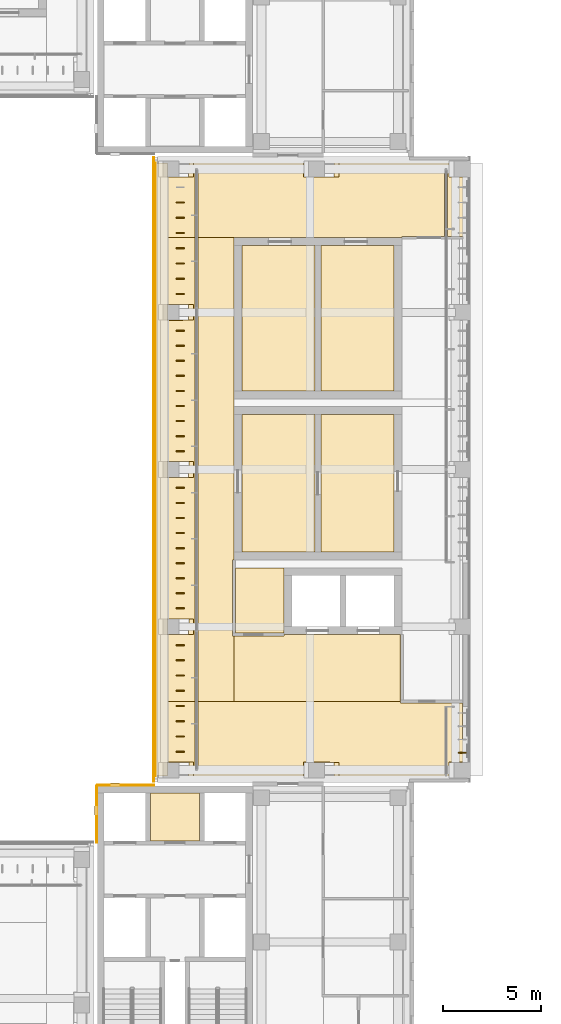
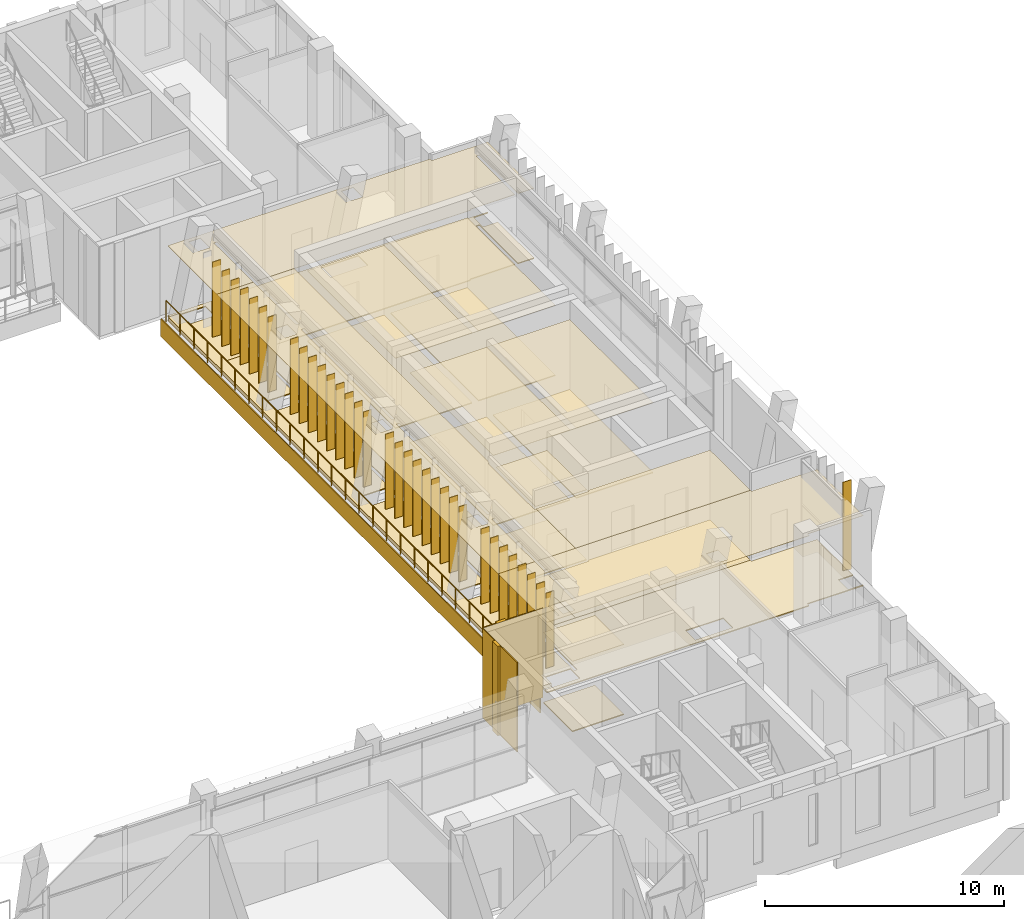
# One storey, part 85 of 89: 34 shading devices, 26 coverings, 1 railing.
"""IFC4 building model written with IfcOpenShell, lengths in metres."""

from ifc_helpers import new_model, si_unit, direction, frame, frame_2d, origin, origin_2d, place, context, subcontext, project, spatial, polyline, rectangle, circle, outline, extrude, material, layer, layer_set, type_object, element, save


model = new_model("IFC4")

# Units and contexts
model_context = context("Model", 3, precision=1e-05, world=origin(), true_north=direction((0.0, 1.0)))
body_context = subcontext(model_context, "Body", "Model", "MODEL_VIEW")
ifc_project = project(units=[si_unit("LENGTHUNIT", "METRE"), si_unit("AREAUNIT", "SQUARE_METRE"), si_unit("VOLUMEUNIT", "CUBIC_METRE"), si_unit("PLANEANGLEUNIT", "RADIAN"), si_unit("MASSUNIT", "GRAM", prefix="KILO")], contexts=[model_context])

# Site, building, storey
site_placement = place(None, origin())
site = spatial("IfcSite", under=ifc_project, at=site_placement, CompositionType="ELEMENT")
building_placement = place(site_placement, origin())
building = spatial("IfcBuilding", under=site, at=building_placement, Name="Lantern Court Media Centre", CompositionType="ELEMENT")
storey_placement = place(building_placement, frame((0.0, 0.0, 14.39990234375)))
storey = spatial("IfcBuildingStorey", under=building, at=storey_placement, Name="L03", CompositionType="ELEMENT", Elevation=14.39990234375)

# Coverings
ifc_material_1 = material(Name="Carpet")
ifc_layer_1 = layer(ifc_material_1, 0.050048828125)
ifc_layer_set_1 = layer_set([ifc_layer_1], Name="Carpet")
covering_type_1 = type_object("IfcCoveringType", Name="Carpet floor finish", PredefinedType="FLOORING", material=ifc_layer_set_1)
covering_1_placement = place(storey_placement, origin())
element("IfcCovering", 1, at=covering_1_placement, inside=storey, type_object=covering_type_1, Name="Recording Studio 03 floor finish", PredefinedType="FLOORING", context=body_context, shape_type="SweptSolid", body=[
    extrude(outline(polyline([(87.455078125, 75.804931640625), (87.455078125, 82.794921875), (91.169921875, 82.794921875), (91.169921875, 75.804931640625), (87.455078125, 75.804931640625)])), origin(), (0.0, 0.0, 1.0), 0.050048828125),
])
covering_2_placement = place(storey_placement, origin())
element("IfcCovering", 2, at=covering_2_placement, inside=storey, type_object=covering_type_1, Name="Recording Control Room 03 floor finish", PredefinedType="FLOORING", context=body_context, shape_type="SweptSolid", body=[
    extrude(outline(polyline([(91.47998046875, 75.804931640625), (91.47998046875, 82.794921875), (95.195068359375, 82.794921875), (95.195068359375, 75.804931640625), (91.47998046875, 75.804931640625)])), origin(), (0.0, 0.0, 1.0), 0.050048828125),
])
covering_3_placement = place(storey_placement, origin())
element("IfcCovering", 3, at=covering_3_placement, inside=storey, type_object=covering_type_1, Name="Recording Studio 04 floor finish", PredefinedType="FLOORING", context=body_context, shape_type="SweptSolid", body=[
    extrude(outline(polyline([(87.455078125, 84.0048828125), (87.455078125, 91.39501953125), (91.169921875, 91.39501953125), (91.169921875, 84.0048828125), (87.455078125, 84.0048828125)])), origin(), (0.0, 0.0, 1.0), 0.050048828125),
])
covering_4_placement = place(storey_placement, origin())
element("IfcCovering", 4, at=covering_4_placement, inside=storey, type_object=covering_type_1, Name="Recording Control Room 04 floor finish", PredefinedType="FLOORING", context=body_context, shape_type="SweptSolid", body=[
    extrude(outline(polyline([(91.47998046875, 91.39501953125), (95.195068359375, 91.39501953125), (95.195068359375, 84.0048828125), (91.47998046875, 84.0048828125), (91.47998046875, 91.39501953125)])), origin(), (0.0, 0.0, 1.0), 0.050048828125),
])
ifc_material_2 = material(Name="Ceramic tile")
ifc_layer_2 = layer(ifc_material_2, 0.050048828125)
ifc_layer_set_2 = layer_set([ifc_layer_2], Name="Ceramic tile")
covering_type_2 = type_object("IfcCoveringType", Name="Ceramic tile floor finish", PredefinedType="FLOORING", material=ifc_layer_set_2)
covering_5_placement = place(storey_placement, origin())
element("IfcCovering", 5, at=covering_5_placement, inside=storey, type_object=covering_type_2, Name="Accessible WC floor finish", PredefinedType="FLOORING", context=body_context, shape_type="SweptSolid", body=[
    extrude(outline(polyline([(89.594970703125, 75.0), (89.594970703125, 71.679931640625), (87.1298828125, 71.679931640625), (87.1298828125, 75.0), (89.594970703125, 75.0)])), origin(), (0.0, 0.0, 1.0), 0.050048828125),
])
covering_6_placement = place(storey_placement, origin())
element("IfcCovering", 6, at=covering_6_placement, inside=storey, type_object=covering_type_2, Name="Accessible WC floor finish", PredefinedType="FLOORING", context=body_context, shape_type="SweptSolid", body=[
    extrude(outline(polyline([(85.294921875, 61.10498046875), (82.804931640625, 61.10498046875), (82.804931640625, 63.544921875), (85.294921875, 63.544921875), (85.294921875, 61.10498046875)])), origin(), (0.0, 0.0, 1.0), 0.050048828125),
])
ifc_material_3 = material(Name="White glass-fibre reinforced cement cladding", Category="concrete")
ifc_layer_3 = layer(ifc_material_3, 0.050048828125)
ifc_layer_set_3 = layer_set([ifc_layer_3], Name="White glass-fibre reinforced cement cladding")
covering_type_3 = type_object("IfcCoveringType", Name="Floor-edge band 50", PredefinedType="CLADDING", material=ifc_layer_set_3)
covering_7_placement = place(storey_placement, frame((82.97509765625, 64.10009765625, -0.89990234375), z_axis=(0.0, 0.0, 1.0), x_axis=(0.0, 1.0, 0.0)))
element("IfcCovering", 7, at=covering_7_placement, inside=storey, type_object=covering_type_3, Name="Floor-edge band E inner L03", PredefinedType="CLADDING", context=body_context, shape_type="SweptSolid", body=[
    extrude(rectangle(XDim=31.7998046875, YDim=0.050048828125, at=frame_2d((15.89990234375, 0.0))), origin(), (0.0, 0.0, 1.0), 0.89990234375),
])

# Railing
ifc_material_4 = material(Name="Painted mild steel balustrade", Category="steel")
railing_type = type_object("IfcRailingType", Name="Guard 1100 steel balustrade", PredefinedType="GUARDRAIL", material=ifc_material_4)
railing_placement = place(storey_placement, frame((83.050048828125, 64.39990234375, 0.0)))
element("IfcRailing", 8, at=railing_placement, inside=storey, type_object=railing_type, Name="Ledge guard E L03", PredefinedType="GUARDRAIL", context=body_context, shape_type="SweptSolid", body=[
    extrude(circle(Radius=0.02392578125, at=origin_2d()), frame((0.0, 0.0, 1.076171875), z_axis=(0.0, 1.0, 0.0), x_axis=(-1.0, 0.0, 0.0)), (0.0, 0.0, 1.0), 31.2001953125),
    extrude(circle(Radius=0.02099609375, at=origin_2d()), origin(), (0.0, 0.0, 1.0), 1.052001953125),
    extrude(circle(Radius=0.02099609375, at=origin_2d()), frame((0.0, 1.155517578125, 0.0)), (0.0, 0.0, 1.0), 1.052001953125),
    extrude(circle(Radius=0.02099609375, at=origin_2d()), frame((0.0, 2.31103515625, 0.0)), (0.0, 0.0, 1.0), 1.052001953125),
    extrude(circle(Radius=0.02099609375, at=origin_2d()), frame((0.0, 3.466796875, 0.0)), (0.0, 0.0, 1.0), 1.052001953125),
    extrude(circle(Radius=0.02099609375, at=origin_2d()), frame((0.0, 4.622314453125, 0.0)), (0.0, 0.0, 1.0), 1.052001953125),
    extrude(circle(Radius=0.02099609375, at=origin_2d()), frame((0.0, 5.77783203125, 0.0)), (0.0, 0.0, 1.0), 1.052001953125),
    extrude(circle(Radius=0.02099609375, at=origin_2d()), frame((0.0, 6.933349609375, 0.0)), (0.0, 0.0, 1.0), 1.052001953125),
    extrude(circle(Radius=0.02099609375, at=origin_2d()), frame((0.0, 8.0888671875, 0.0)), (0.0, 0.0, 1.0), 1.052001953125),
    extrude(circle(Radius=0.02099609375, at=origin_2d()), frame((0.0, 9.244384765625, 0.0)), (0.0, 0.0, 1.0), 1.052001953125),
    extrude(circle(Radius=0.02099609375, at=origin_2d()), frame((0.0, 10.400146484375, 0.0)), (0.0, 0.0, 1.0), 1.052001953125),
    extrude(circle(Radius=0.02099609375, at=origin_2d()), frame((0.0, 11.5556640625, 0.0)), (0.0, 0.0, 1.0), 1.052001953125),
    extrude(circle(Radius=0.02099609375, at=origin_2d()), frame((0.0, 12.711181640625, 0.0)), (0.0, 0.0, 1.0), 1.052001953125),
    extrude(circle(Radius=0.02099609375, at=origin_2d()), frame((0.0, 13.86669921875, 0.0)), (0.0, 0.0, 1.0), 1.052001953125),
    extrude(circle(Radius=0.02099609375, at=origin_2d()), frame((0.0, 15.022216796875, 0.0)), (0.0, 0.0, 1.0), 1.052001953125),
    extrude(circle(Radius=0.02099609375, at=origin_2d()), frame((0.0, 16.177978515625, 0.0)), (0.0, 0.0, 1.0), 1.052001953125),
    extrude(circle(Radius=0.02099609375, at=origin_2d()), frame((0.0, 17.33349609375, 0.0)), (0.0, 0.0, 1.0), 1.052001953125),
    extrude(circle(Radius=0.02099609375, at=origin_2d()), frame((0.0, 18.489013671875, 0.0)), (0.0, 0.0, 1.0), 1.052001953125),
    extrude(circle(Radius=0.02099609375, at=origin_2d()), frame((0.0, 19.64453125, 0.0)), (0.0, 0.0, 1.0), 1.052001953125),
    extrude(circle(Radius=0.02099609375, at=origin_2d()), frame((0.0, 20.800048828125, 0.0)), (0.0, 0.0, 1.0), 1.052001953125),
    extrude(circle(Radius=0.02099609375, at=origin_2d()), frame((0.0, 21.955810546875, 0.0)), (0.0, 0.0, 1.0), 1.052001953125),
    extrude(circle(Radius=0.02099609375, at=origin_2d()), frame((0.0, 23.111328125, 0.0)), (0.0, 0.0, 1.0), 1.052001953125),
    extrude(circle(Radius=0.02099609375, at=origin_2d()), frame((0.0, 24.266845703125, 0.0)), (0.0, 0.0, 1.0), 1.052001953125),
    extrude(circle(Radius=0.02099609375, at=origin_2d()), frame((0.0, 25.42236328125, 0.0)), (0.0, 0.0, 1.0), 1.052001953125),
    extrude(circle(Radius=0.02099609375, at=origin_2d()), frame((0.0, 26.577880859375, 0.0)), (0.0, 0.0, 1.0), 1.052001953125),
    extrude(circle(Radius=0.02099609375, at=origin_2d()), frame((0.0, 27.7333984375, 0.0)), (0.0, 0.0, 1.0), 1.052001953125),
    extrude(circle(Radius=0.02099609375, at=origin_2d()), frame((0.0, 28.88916015625, 0.0)), (0.0, 0.0, 1.0), 1.052001953125),
    extrude(circle(Radius=0.02099609375, at=origin_2d()), frame((0.0, 30.044677734375, 0.0)), (0.0, 0.0, 1.0), 1.052001953125),
    extrude(circle(Radius=0.02099609375, at=origin_2d()), frame((0.0, 31.2001953125, 0.0)), (0.0, 0.0, 1.0), 1.052001953125),
])

# Coverings
ifc_material_5 = material(Name="Honed limestone cladding", Category="masonry")
ifc_layer_4 = layer(ifc_material_5, 0.050048828125)
ifc_layer_set_4 = layer_set([ifc_layer_4], Name="Honed limestone cladding")
covering_type_4 = type_object("IfcCoveringType", Name="Limestone cladding panel 50", PredefinedType="CLADDING", material=ifc_layer_set_4)
for number, where, z_axis, x_axis, name in (
    (9, (80.074951171875, 61.0, 0.0), (0.0, 0.0, 1.0), (0.0, 1.0, 0.0), "Limestone joint cladding S-SE L03"),
    (10, (80.10009765625, 63.925048828125, 0.0), (0.0, 0.0, 1.0), (1.0, 0.0, 0.0), "Limestone joint cladding E-SE L03"),
):
    element("IfcCovering", number, at=place(storey_placement, frame(where, z_axis=z_axis, x_axis=x_axis)), inside=storey, type_object=covering_type_4, Name=name, PredefinedType="CLADDING", context=body_context, shape_type="SweptSolid", body=[
        extrude(rectangle(XDim=2.89990234375, YDim=0.050048828125, at=frame_2d((1.449951171875, 0.0))), origin(), (0.0, 0.0, 1.0), 4.580078125),
    ])
ifc_layer_5 = layer(ifc_material_5, 0.14990234375)
ifc_layer_set_5 = layer_set([ifc_layer_5], Name="Honed limestone cladding")
covering_type_5 = type_object("IfcCoveringType", Name="Limestone pilaster cladding 150", PredefinedType="CLADDING", material=ifc_layer_set_5)
covering_8_placement = place(storey_placement, frame((80.77490234375, 63.97509765625, 0.0), z_axis=(0.0, 0.0, 1.0), x_axis=(1.0, 0.0, 0.0)))
element("IfcCovering", 11, at=covering_8_placement, inside=storey, type_object=covering_type_5, Name="Limestone pilaster rib", PredefinedType="CLADDING", context=body_context, shape_type="SweptSolid", body=[
    extrude(rectangle(XDim=0.4501953125, YDim=0.14990234375, at=frame_2d((0.22509765625, 0.0))), origin(), (0.0, 0.0, 1.0), 4.580078125),
])
covering_9_placement = place(storey_placement, frame((80.02490234375, 62.425048828125, 0.0), z_axis=(0.0, 0.0, 1.0), x_axis=(0.0, 1.0, 0.0)))
element("IfcCovering", 12, at=covering_9_placement, inside=storey, type_object=covering_type_5, Name="Limestone pilaster rib", PredefinedType="CLADDING", context=body_context, shape_type="SweptSolid", body=[
    extrude(rectangle(XDim=0.449951171875, YDim=0.14990234375, at=frame_2d((0.22509765625, 0.0))), origin(), (0.0, 0.0, 1.0), 4.580078125),
])
ifc_material_6 = material(Name="Planting substrate")
ifc_layer_6 = layer(ifc_material_6, 0.199951171875)
ifc_layer_set_6 = layer_set([ifc_layer_6], Name="Planting substrate")
covering_type_6 = type_object("IfcCoveringType", Name="Planted ledge build-up 200", PredefinedType="ROOFING", material=ifc_layer_set_6)
covering_10_placement = place(storey_placement, origin())
element("IfcCovering", 13, at=covering_10_placement, inside=storey, type_object=covering_type_6, Name="Planted ledge E L03", PredefinedType="ROOFING", context=body_context, shape_type="SweptSolid", body=[
    extrude(outline(polyline([(83.14990234375, 64.39990234375), (83.14990234375, 95.60009765625), (83.679931640625, 95.60009765625), (83.679931640625, 64.39990234375), (83.14990234375, 64.39990234375)])), origin(), (0.0, 0.0, 1.0), 0.2001953125),
])
ifc_material_7 = material(Name="Mineral fibre ceiling tile")
ifc_layer_7 = layer(ifc_material_7, 0.02001953125)
ifc_layer_set_7 = layer_set([ifc_layer_7], Name="Mineral fibre ceiling tile")
covering_type_7 = type_object("IfcCoveringType", Name="Suspended ceiling tile", PredefinedType="CEILING", material=ifc_layer_set_7)
covering_11_placement = place(storey_placement, frame((0.0, 0.0, 3.60009765625)))
element("IfcCovering", 14, at=covering_11_placement, inside=storey, type_object=covering_type_7, Name="End Lobby ceiling", PredefinedType="CEILING", context=body_context, shape_type="SweptSolid", body=[
    extrude(outline(polyline([(98.699951171875, 64.240478515625), (96.0, 64.240478515625), (95.99951171875, 64.10009765625), (83.300048828125, 64.10009765625), (83.300048828125, 68.199951171875), (85.074462890625, 68.199951171875), (85.074951171875, 64.8994140625), (85.2255859375, 64.89990234375), (85.2255859375, 68.199951171875), (95.51953125, 68.199951171875), (95.52001953125, 68.119384765625), (98.695068359375, 68.119384765625), (98.699462890625, 68.199951171875), (98.699951171875, 64.240478515625)]), holes=[polyline([(92.152099609375, 64.299560546875), (92.152587890625, 65.100341796875), (91.599609375, 65.100341796875), (91.599609375, 64.2998046875), (92.152099609375, 64.299560546875)]), polyline([(91.35205078125, 65.1005859375), (91.3515625, 64.300048828125), (91.400146484375, 64.299560546875), (91.400390625, 65.10009765625), (91.35205078125, 65.1005859375)]), polyline([(84.752685546875, 65.10009765625), (84.199462890625, 65.100341796875), (84.19970703125, 64.299560546875), (84.75244140625, 64.2998046875), (84.752685546875, 65.10009765625)]), polyline([(84.00048828125, 65.10009765625), (83.95166015625, 65.10009765625), (83.9521484375, 64.299560546875), (84.00048828125, 64.300048828125), (84.00048828125, 65.10009765625)])]), origin(), (0.0, 0.0, 1.0), 0.02001953125),
])
covering_12_placement = place(storey_placement, frame((0.0, 0.0, 3.60009765625)))
element("IfcCovering", 15, at=covering_12_placement, inside=storey, type_object=covering_type_7, Name="End Lobby ceiling", PredefinedType="CEILING", context=body_context, shape_type="SweptSolid", body=[
    extrude(outline(polyline([(98.699951171875, 91.863037109375), (97.929931640625, 91.863037109375), (97.925537109375, 91.800048828125), (97.925537109375, 95.10009765625), (97.77490234375, 95.1005859375), (97.7744140625, 91.800048828125), (97.77001953125, 91.863037109375), (95.60498046875, 91.863037109375), (95.6044921875, 91.800048828125), (85.2255859375, 91.800048828125), (85.2255859375, 95.10009765625), (85.074951171875, 95.1005859375), (85.074462890625, 91.800048828125), (83.300048828125, 91.800048828125), (83.300048828125, 95.89990234375), (95.99951171875, 95.89990234375), (96.0, 95.759521484375), (98.699951171875, 95.759521484375), (98.699951171875, 91.863037109375)]), holes=[polyline([(92.152099609375, 94.8994140625), (92.152587890625, 95.7001953125), (91.599609375, 95.700439453125), (91.599609375, 94.899658203125), (92.152099609375, 94.8994140625)]), polyline([(91.35205078125, 95.700439453125), (91.3515625, 94.89990234375), (91.400146484375, 94.8994140625), (91.400390625, 95.699951171875), (91.35205078125, 95.700439453125)]), polyline([(84.752685546875, 95.699951171875), (84.199462890625, 95.7001953125), (84.19970703125, 94.899658203125), (84.75244140625, 94.899658203125), (84.752685546875, 95.699951171875)]), polyline([(84.00048828125, 95.699951171875), (83.95166015625, 95.699951171875), (83.9521484375, 94.8994140625), (84.00048828125, 94.89990234375), (84.00048828125, 95.699951171875)])]), origin(), (0.0, 0.0, 1.0), 0.02001953125),
])
covering_13_placement = place(storey_placement, frame((0.0, 0.0, 3.60009765625)))
element("IfcCovering", 16, at=covering_13_placement, inside=storey, type_object=covering_type_7, Name="Lift Lobby ceiling", PredefinedType="CEILING", context=body_context, shape_type="SweptSolid", body=[
    extrude(outline(polyline([(95.60009765625, 71.595458984375), (95.51953125, 71.594970703125), (95.51953125, 68.199951171875), (87.050048828125, 68.199951171875), (87.050048828125, 71.5244140625), (89.594970703125, 71.5244140625), (89.595458984375, 71.60009765625), (95.60009765625, 71.595458984375)])), origin(), (0.0, 0.0, 1.0), 0.02001953125),
])
covering_14_placement = place(storey_placement, frame((0.0, 0.0, 3.60009765625)))
element("IfcCovering", 17, at=covering_14_placement, inside=storey, type_object=covering_type_7, Name="Accessible WC ceiling", PredefinedType="CEILING", context=body_context, shape_type="SweptSolid", body=[
    extrude(outline(polyline([(89.599609375, 75.0), (89.599609375, 71.60009765625), (89.594970703125, 71.675537109375), (87.12548828125, 71.675537109375), (87.12548828125, 75.0), (89.599609375, 75.0)])), origin(), (0.0, 0.0, 1.0), 0.02001953125),
])
covering_15_placement = place(storey_placement, frame((0.0, 0.0, 3.60009765625)))
element("IfcCovering", 18, at=covering_15_placement, inside=storey, type_object=covering_type_7, Name="Recording Studio 03 ceiling", PredefinedType="CEILING", context=body_context, shape_type="SweptSolid", body=[
    extrude(outline(polyline([(91.324951171875, 75.800537109375), (87.450439453125, 75.800537109375), (87.450439453125, 82.799560546875), (91.324951171875, 82.799560546875), (91.174560546875, 82.794921875), (91.174560546875, 75.804931640625), (91.324951171875, 75.800537109375)])), origin(), (0.0, 0.0, 1.0), 0.02001953125),
])
covering_16_placement = place(storey_placement, frame((0.0, 0.0, 3.60009765625)))
element("IfcCovering", 19, at=covering_16_placement, inside=storey, type_object=covering_type_7, Name="Recording Control Room 03 ceiling", PredefinedType="CEILING", context=body_context, shape_type="SweptSolid", body=[
    extrude(outline(polyline([(91.324951171875, 82.799560546875), (95.199462890625, 82.799560546875), (95.199462890625, 75.800537109375), (91.324951171875, 75.800537109375), (91.4755859375, 75.804931640625), (91.4755859375, 82.794921875), (91.324951171875, 82.799560546875)])), origin(), (0.0, 0.0, 1.0), 0.02001953125),
])
covering_17_placement = place(storey_placement, frame((0.0, 0.0, 3.60009765625)))
element("IfcCovering", 20, at=covering_17_placement, inside=storey, type_object=covering_type_7, Name="Recording Studio 04 ceiling", PredefinedType="CEILING", context=body_context, shape_type="SweptSolid", body=[
    extrude(outline(polyline([(91.324951171875, 84.00048828125), (87.450439453125, 84.00048828125), (87.450439453125, 91.3994140625), (91.324951171875, 91.3994140625), (91.174560546875, 91.39501953125), (91.174560546875, 84.0048828125), (91.324951171875, 84.00048828125)])), origin(), (0.0, 0.0, 1.0), 0.02001953125),
])
covering_18_placement = place(storey_placement, frame((0.0, 0.0, 3.60009765625)))
element("IfcCovering", 21, at=covering_18_placement, inside=storey, type_object=covering_type_7, Name="Recording Control Room 04 ceiling", PredefinedType="CEILING", context=body_context, shape_type="SweptSolid", body=[
    extrude(outline(polyline([(91.324951171875, 91.3994140625), (95.199462890625, 91.3994140625), (95.199462890625, 84.00048828125), (91.324951171875, 84.00048828125), (91.4755859375, 84.0048828125), (91.4755859375, 91.39501953125), (91.324951171875, 91.3994140625)])), origin(), (0.0, 0.0, 1.0), 0.02001953125),
])
covering_19_placement = place(storey_placement, frame((0.0, 0.0, 3.60009765625)))
element("IfcCovering", 22, at=covering_19_placement, inside=storey, type_object=covering_type_7, Name="Corridor ceiling", PredefinedType="CEILING", context=body_context, shape_type="SweptSolid", body=[
    extrude(outline(polyline([(87.050048828125, 68.199951171875), (85.2255859375, 68.199951171875), (85.22509765625, 71.800537109375), (85.074462890625, 71.800048828125), (85.074462890625, 68.199951171875), (83.300048828125, 68.199951171875), (83.300048828125, 91.800048828125), (85.074462890625, 91.800048828125), (85.074951171875, 88.199462890625), (85.2255859375, 88.199951171875), (85.2255859375, 91.800048828125), (87.049560546875, 91.800048828125), (87.049560546875, 75.400390625), (86.974609375, 75.39990234375), (86.974609375, 71.52490234375), (87.050048828125, 71.5244140625), (87.050048828125, 68.199951171875)]), holes=[polyline([(85.074462890625, 72.199951171875), (85.2255859375, 72.199951171875), (85.22509765625, 79.800537109375), (85.074462890625, 79.800048828125), (85.074462890625, 72.199951171875)]), polyline([(85.074462890625, 80.199951171875), (85.2255859375, 80.199951171875), (85.22509765625, 87.800537109375), (85.074462890625, 87.800048828125), (85.074462890625, 80.199951171875)]), polyline([(84.752685546875, 80.39990234375), (84.199462890625, 80.400390625), (84.19970703125, 79.599609375), (84.75244140625, 79.599609375), (84.752685546875, 80.39990234375)]), polyline([(84.752685546875, 72.39990234375), (84.199462890625, 72.400390625), (84.19970703125, 71.599609375), (84.75244140625, 71.599609375), (84.752685546875, 72.39990234375)]), polyline([(84.752197265625, 87.599609375), (84.75244140625, 88.400390625), (84.19970703125, 88.400390625), (84.199462890625, 87.599609375), (84.752197265625, 87.599609375)]), polyline([(84.00048828125, 80.39990234375), (83.95166015625, 80.400146484375), (83.9521484375, 79.599609375), (84.00048828125, 79.599853515625), (84.00048828125, 80.39990234375)]), polyline([(84.00048828125, 72.39990234375), (83.95166015625, 72.400146484375), (83.9521484375, 71.599609375), (84.00048828125, 71.599853515625), (84.00048828125, 72.39990234375)]), polyline([(83.9521484375, 88.400390625), (83.95166015625, 87.599853515625), (84.0, 87.599609375), (84.00048828125, 88.400146484375), (83.9521484375, 88.400390625)])]), origin(), (0.0, 0.0, 1.0), 0.02001953125),
])
covering_20_placement = place(storey_placement, frame((0.0, 0.0, 3.60009765625)))
element("IfcCovering", 23, at=covering_20_placement, inside=storey, type_object=covering_type_7, Name="Accessible WC ceiling", PredefinedType="CEILING", context=body_context, shape_type="SweptSolid", body=[
    extrude(outline(polyline([(85.299560546875, 61.1005859375), (82.800537109375, 61.1005859375), (82.800537109375, 63.549560546875), (85.299560546875, 63.549560546875), (85.299560546875, 61.1005859375)])), origin(), (0.0, 0.0, 1.0), 0.02001953125),
])
ifc_material_8 = material(Name="Terrazzo")
ifc_layer_8 = layer(ifc_material_8, 0.050048828125)
ifc_layer_set_8 = layer_set([ifc_layer_8], Name="Terrazzo")
covering_type_8 = type_object("IfcCoveringType", Name="Terrazzo floor finish", PredefinedType="FLOORING", material=ifc_layer_set_8)
covering_21_placement = place(storey_placement, origin())
element("IfcCovering", 24, at=covering_21_placement, inside=storey, type_object=covering_type_8, Name="End Lobby floor finish", PredefinedType="FLOORING", context=body_context, shape_type="SweptSolid", body=[
    extrude(outline(polyline([(98.699951171875, 64.2451171875), (95.99951171875, 64.244873046875), (95.9951171875, 64.10009765625), (83.300048828125, 64.10009765625), (83.300048828125, 64.294921875), (85.0048828125, 64.300048828125), (85.001953125, 65.104736328125), (83.300048828125, 65.10498046875), (83.300048828125, 68.199951171875), (85.070068359375, 68.199951171875), (85.074951171875, 64.89501953125), (85.22998046875, 64.89990234375), (85.22998046875, 68.199951171875), (95.514892578125, 68.199951171875), (95.52001953125, 68.114990234375), (98.695068359375, 68.114990234375), (98.699951171875, 65.10498046875), (97.99609375, 65.103271484375), (97.9951171875, 64.300048828125), (98.699951171875, 64.294921875), (98.699951171875, 64.2451171875)]), holes=[polyline([(90.594970703125, 64.300048828125), (92.40185546875, 64.29541015625), (92.404541015625, 65.101806640625), (90.59814453125, 65.104736328125), (90.594970703125, 64.300048828125)])]), origin(), (0.0, 0.0, 1.0), 0.050048828125),
])
covering_22_placement = place(storey_placement, origin())
element("IfcCovering", 25, at=covering_22_placement, inside=storey, type_object=covering_type_8, Name="End Lobby floor finish", PredefinedType="FLOORING", context=body_context, shape_type="SweptSolid", body=[
    extrude(outline(polyline([(98.699951171875, 91.867431640625), (97.929931640625, 91.867431640625), (97.929931640625, 95.10009765625), (97.77490234375, 95.10498046875), (97.77001953125, 91.867431640625), (95.60498046875, 91.867431640625), (95.60009765625, 91.804931640625), (85.22998046875, 91.800048828125), (85.22998046875, 95.10009765625), (85.074951171875, 95.10498046875), (85.070068359375, 91.800048828125), (83.300048828125, 91.800048828125), (83.300048828125, 94.89501953125), (85.0048828125, 94.89990234375), (85.00244140625, 95.704345703125), (83.300048828125, 95.705078125), (83.300048828125, 95.89990234375), (95.9951171875, 95.89990234375), (95.99951171875, 95.755126953125), (98.699951171875, 95.7548828125), (98.699951171875, 95.705078125), (97.9951171875, 95.699951171875), (97.99609375, 94.896728515625), (98.699951171875, 94.89501953125), (98.699951171875, 91.867431640625)]), holes=[polyline([(90.594970703125, 94.89990234375), (92.40185546875, 94.895263671875), (92.404541015625, 95.701904296875), (90.59814453125, 95.70458984375), (90.594970703125, 94.89990234375)])]), origin(), (0.0, 0.0, 1.0), 0.050048828125),
])
covering_23_placement = place(storey_placement, origin())
element("IfcCovering", 26, at=covering_23_placement, inside=storey, type_object=covering_type_8, Name="Lift Lobby floor finish", PredefinedType="FLOORING", context=body_context, shape_type="SweptSolid", body=[
    extrude(outline(polyline([(87.050048828125, 68.199951171875), (87.050048828125, 71.52001953125), (89.594970703125, 71.52001953125), (89.60009765625, 71.594970703125), (95.514892578125, 71.594970703125), (95.514892578125, 68.199951171875), (87.050048828125, 68.199951171875)])), origin(), (0.0, 0.0, 1.0), 0.050048828125),
])
covering_24_placement = place(storey_placement, origin())
element("IfcCovering", 27, at=covering_24_placement, inside=storey, type_object=covering_type_8, Name="Corridor floor finish", PredefinedType="FLOORING", context=body_context, shape_type="SweptSolid", body=[
    extrude(outline(polyline([(87.050048828125, 68.199951171875), (85.22998046875, 68.199951171875), (85.22509765625, 71.804931640625), (85.070068359375, 71.800048828125), (85.070068359375, 68.199951171875), (83.300048828125, 68.199951171875), (83.300048828125, 71.594970703125), (85.0048828125, 71.60009765625), (85.001953125, 72.404541015625), (83.300048828125, 72.405029296875), (83.300048828125, 79.594970703125), (85.0048828125, 79.60009765625), (85.001953125, 80.404541015625), (83.300048828125, 80.405029296875), (83.300048828125, 87.594970703125), (85.0048828125, 87.60009765625), (85.001953125, 88.404541015625), (83.300048828125, 88.405029296875), (83.300048828125, 91.800048828125), (85.070068359375, 91.800048828125), (85.074951171875, 88.195068359375), (85.22998046875, 88.199951171875), (85.22998046875, 91.800048828125), (87.044921875, 91.800048828125), (87.044921875, 75.405029296875), (86.969970703125, 75.39990234375), (86.969970703125, 71.52490234375), (87.050048828125, 71.52001953125), (87.050048828125, 68.199951171875)]), holes=[polyline([(85.070068359375, 80.199951171875), (85.22998046875, 80.199951171875), (85.22509765625, 87.804931640625), (85.070068359375, 87.800048828125), (85.070068359375, 80.199951171875)]), polyline([(85.070068359375, 72.199951171875), (85.22998046875, 72.199951171875), (85.22509765625, 79.804931640625), (85.070068359375, 79.800048828125), (85.070068359375, 72.199951171875)])]), origin(), (0.0, 0.0, 1.0), 0.050048828125),
])

# Shading devices
ifc_material_9 = material(Name="Bronze anodised aluminium louvre", Category="aluminium")
ifc_layer_9 = layer(ifc_material_9, 0.0400390625)
ifc_layer_set_9 = layer_set([ifc_layer_9], Name="Bronze anodised aluminium louvre")
shading_device_type_1 = type_object("IfcShadingDeviceType", Name="Vertical louvre 40x400 full storey", PredefinedType="USERDEFINED", material=ifc_layer_set_9)
shading_device_placement = place(storey_placement, frame((98.679931640625, 65.58740234375, 0.0), z_axis=(0.0, 0.0, 1.0), x_axis=(1.0, 0.0, 0.0)))
element("IfcShadingDevice", 28, at=shading_device_placement, inside=storey, type_object=shading_device_type_1, Name="Vertical louvre E outer L03", ObjectType="VERTICAL LOUVRE", PredefinedType="USERDEFINED", context=body_context, shape_type="SweptSolid", body=[
    extrude(rectangle(XDim=0.39990234375, YDim=0.0400390625, at=origin_2d()), origin(), (0.0, 0.0, 1.0), 4.580078125),
])
ifc_layer_10 = layer(ifc_material_9, 0.0400390625)
ifc_layer_set_10 = layer_set([ifc_layer_10], Name="Bronze anodised aluminium louvre")
shading_device_type_2 = type_object("IfcShadingDeviceType", Name="Vertical louvre 40x400 under beam", PredefinedType="USERDEFINED", material=ifc_layer_set_10)
for number, where, z_axis, x_axis, name in (
    (29, (84.320068359375, 65.637451171875, 0.000244140625), (0.0, 0.0, 1.0), (1.0, 0.0, 0.0), "Vertical louvre E inner L03"),
    (30, (84.320068359375, 66.41259765625, 0.000244140625), (0.0, 0.0, 1.0), (1.0, 0.0, 0.0), "Vertical louvre E inner L03"),
    (31, (84.320068359375, 67.1875, 0.000244140625), (0.0, 0.0, 1.0), (1.0, 0.0, 0.0), "Vertical louvre E inner L03"),
    (32, (84.320068359375, 67.96240234375, 0.000244140625), (0.0, 0.0, 1.0), (1.0, 0.0, 0.0), "Vertical louvre E inner L03"),
    (33, (84.320068359375, 68.737548828125, 0.000244140625), (0.0, 0.0, 1.0), (1.0, 0.0, 0.0), "Vertical louvre E inner L03"),
    (34, (84.320068359375, 69.512451171875, 0.000244140625), (0.0, 0.0, 1.0), (1.0, 0.0, 0.0), "Vertical louvre E inner L03"),
    (35, (84.320068359375, 70.28759765625, 0.000244140625), (0.0, 0.0, 1.0), (1.0, 0.0, 0.0), "Vertical louvre E inner L03"),
    (36, (84.320068359375, 71.0625, 0.000244140625), (0.0, 0.0, 1.0), (1.0, 0.0, 0.0), "Vertical louvre E inner L03"),
    (37, (84.320068359375, 72.933349609375, 0.000244140625), (0.0, 0.0, 1.0), (1.0, 0.0, 0.0), "Vertical louvre E inner L03"),
    (38, (84.320068359375, 73.699951171875, 0.000244140625), (0.0, 0.0, 1.0), (1.0, 0.0, 0.0), "Vertical louvre E inner L03"),
    (39, (84.320068359375, 74.466552734375, 0.000244140625), (0.0, 0.0, 1.0), (1.0, 0.0, 0.0), "Vertical louvre E inner L03"),
    (40, (84.320068359375, 75.2333984375, 0.000244140625), (0.0, 0.0, 1.0), (1.0, 0.0, 0.0), "Vertical louvre E inner L03"),
    (41, (84.320068359375, 76.0, 0.000244140625), (0.0, 0.0, 1.0), (1.0, 0.0, 0.0), "Vertical louvre E inner L03"),
    (42, (84.320068359375, 76.7666015625, 0.000244140625), (0.0, 0.0, 1.0), (1.0, 0.0, 0.0), "Vertical louvre E inner L03"),
    (43, (84.320068359375, 77.533447265625, 0.000244140625), (0.0, 0.0, 1.0), (1.0, 0.0, 0.0), "Vertical louvre E inner L03"),
    (44, (84.320068359375, 78.300048828125, 0.000244140625), (0.0, 0.0, 1.0), (1.0, 0.0, 0.0), "Vertical louvre E inner L03"),
    (45, (84.320068359375, 79.066650390625, 0.000244140625), (0.0, 0.0, 1.0), (1.0, 0.0, 0.0), "Vertical louvre E inner L03"),
    (46, (84.320068359375, 80.933349609375, 0.000244140625), (0.0, 0.0, 1.0), (1.0, 0.0, 0.0), "Vertical louvre E inner L03"),
    (47, (84.320068359375, 81.699951171875, 0.000244140625), (0.0, 0.0, 1.0), (1.0, 0.0, 0.0), "Vertical louvre E inner L03"),
    (48, (84.320068359375, 82.466552734375, 0.000244140625), (0.0, 0.0, 1.0), (1.0, 0.0, 0.0), "Vertical louvre E inner L03"),
    (49, (84.320068359375, 83.2333984375, 0.000244140625), (0.0, 0.0, 1.0), (1.0, 0.0, 0.0), "Vertical louvre E inner L03"),
    (50, (84.320068359375, 84.0, 0.000244140625), (0.0, 0.0, 1.0), (1.0, 0.0, 0.0), "Vertical louvre E inner L03"),
    (51, (84.320068359375, 84.7666015625, 0.000244140625), (0.0, 0.0, 1.0), (1.0, 0.0, 0.0), "Vertical louvre E inner L03"),
    (52, (84.320068359375, 85.533447265625, 0.000244140625), (0.0, 0.0, 1.0), (1.0, 0.0, 0.0), "Vertical louvre E inner L03"),
    (53, (84.320068359375, 86.300048828125, 0.000244140625), (0.0, 0.0, 1.0), (1.0, 0.0, 0.0), "Vertical louvre E inner L03"),
    (54, (84.320068359375, 87.066650390625, 0.000244140625), (0.0, 0.0, 1.0), (1.0, 0.0, 0.0), "Vertical louvre E inner L03"),
    (55, (84.320068359375, 88.9375, 0.000244140625), (0.0, 0.0, 1.0), (1.0, 0.0, 0.0), "Vertical louvre E inner L03"),
    (56, (84.320068359375, 89.71240234375, 0.000244140625), (0.0, 0.0, 1.0), (1.0, 0.0, 0.0), "Vertical louvre E inner L03"),
    (57, (84.320068359375, 90.487548828125, 0.000244140625), (0.0, 0.0, 1.0), (1.0, 0.0, 0.0), "Vertical louvre E inner L03"),
    (58, (84.320068359375, 91.262451171875, 0.000244140625), (0.0, 0.0, 1.0), (1.0, 0.0, 0.0), "Vertical louvre E inner L03"),
    (59, (84.320068359375, 92.03759765625, 0.000244140625), (0.0, 0.0, 1.0), (1.0, 0.0, 0.0), "Vertical louvre E inner L03"),
    (60, (84.320068359375, 92.8125, 0.000244140625), (0.0, 0.0, 1.0), (1.0, 0.0, 0.0), "Vertical louvre E inner L03"),
    (61, (84.320068359375, 93.58740234375, 0.000244140625), (0.0, 0.0, 1.0), (1.0, 0.0, 0.0), "Vertical louvre E inner L03"),
):
    element("IfcShadingDevice", number, at=place(storey_placement, frame(where, z_axis=z_axis, x_axis=x_axis)), inside=storey, type_object=shading_device_type_2, Name=name, ObjectType="VERTICAL LOUVRE", PredefinedType="USERDEFINED", context=body_context, shape_type="SweptSolid", body=[
        extrude(rectangle(XDim=0.39990234375, YDim=0.0400390625, at=origin_2d()), origin(), (0.0, 0.0, 1.0), 3.89990234375),
    ])

save(model, "model.ifc")
